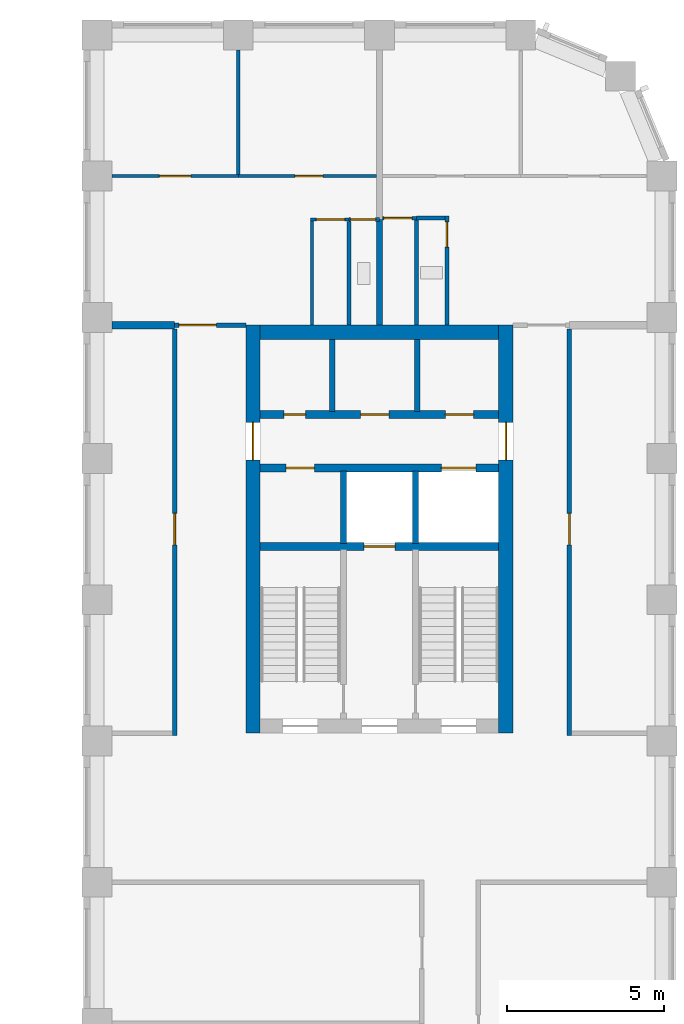
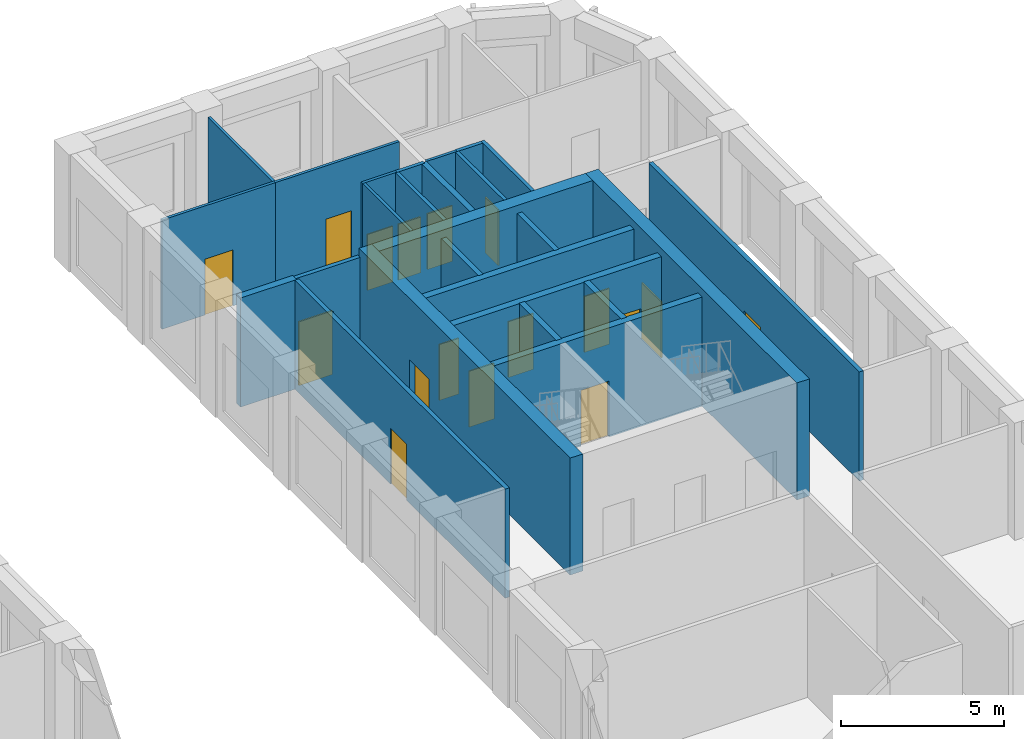
# One storey, part 8 of 12: 26 walls, 17 doors, 17 openings.
"""IFC4 building model written with IfcOpenShell, lengths in metres."""

import ifcopenshell
import ifcopenshell.guid

model = None  # the IFC model being written
_history = None  # IfcOwnerHistory: only IFC2X3 demands one
_inside = {}  # id of a spatial element -> (the spatial element, [elements in it])
_under = {}  # id of a project, library or spatial element -> (it, [spatial elements below it])
_declared = {}  # id of a project -> (the project, [libraries it declares])
_typed = {}  # id of a type object -> (the type object, [elements of that type])
_made_of = {}  # id of a material, layer set ... -> (it, [elements and type objects made of it])


def new_model(schema):
    """Start an empty IFC model of exactly this schema.

    Asked for "IFC4X3", IfcOpenShell would pick the latest addendum, in which some entities
    have other attributes; the version numbers below select the first issue.
    IFC2X3 requires an IfcOwnerHistory on every rooted entity: one is made here for all.
    """
    global model, _history
    if schema == "IFC4X3":
        model = ifcopenshell.file(schema_version=(4, 3, 0, 0))
    else:
        model = ifcopenshell.file(schema=schema)
    _inside.clear()
    _under.clear()
    _declared.clear()
    _typed.clear()
    _made_of.clear()
    _history = None
    if model.schema == "IFC2X3":
        org = make("IfcOrganization", Name="unknown")
        user = make(
            "IfcPersonAndOrganization",
            ThePerson=make("IfcPerson", FamilyName="unknown"),
            TheOrganization=org,
        )
        app = make(
            "IfcApplication",
            ApplicationDeveloper=org,
            Version="unknown",
            ApplicationFullName="unknown",
            ApplicationIdentifier="unknown",
        )
        _history = make(
            "IfcOwnerHistory",
            OwningUser=user,
            OwningApplication=app,
            ChangeAction="ADDED",
            CreationDate=0,
        )
    return model


def make(cls, **values):
    """One entity of the class cls with the attributes given. An attribute that is None is left unset."""
    return model.create_entity(
        cls, **{name: value for name, value in values.items() if value is not None}
    )


def rooted(cls, **values):
    """An entity with a GlobalId (a new one), such as an element, a storey or a relation."""
    return make(cls, GlobalId=ifcopenshell.guid.new(), OwnerHistory=_history, **values)


def si_unit(unit_type, name, prefix=None):
    """IfcSIUnit, for example si_unit("LENGTHUNIT", "METRE", prefix="MILLI")."""
    return make("IfcSIUnit", UnitType=unit_type, Prefix=prefix, Name=name)


def assignment(units):
    """IfcUnitAssignment: the units of a project."""
    return None if units is None else make("IfcUnitAssignment", Units=units)


def point(xyz):
    """IfcCartesianPoint."""
    return None if xyz is None else make("IfcCartesianPoint", Coordinates=xyz)


def direction(xyz):
    """IfcDirection."""
    return None if xyz is None else make("IfcDirection", DirectionRatios=xyz)


def frame(location, z_axis=None, x_axis=None):
    """IfcAxis2Placement3D, a coordinate frame: its origin and axes. An axis left out is left unset."""
    return make(
        "IfcAxis2Placement3D",
        Location=point(location),
        Axis=direction(z_axis),
        RefDirection=direction(x_axis),
    )


def frame_2d(location, x_axis=None):
    """IfcAxis2Placement2D, a coordinate frame in the plane: its origin and x axis."""
    return make(
        "IfcAxis2Placement2D", Location=point(location), RefDirection=direction(x_axis)
    )


def origin():
    """The frame at (0, 0, 0) with its axes left unset."""
    return frame((0.0, 0.0, 0.0))


def place(relative_to, where):
    """IfcLocalPlacement: puts the frame where relative to a parent placement (None: the world)."""
    return make(
        "IfcLocalPlacement", PlacementRelTo=relative_to, RelativePlacement=where
    )


def context(
    kind, dimensions, precision=None, world=None, true_north=None, identifier=None
):
    """IfcGeometricRepresentationContext, for example the 3D "Model" context."""
    return make(
        "IfcGeometricRepresentationContext",
        ContextIdentifier=identifier,
        ContextType=kind,
        CoordinateSpaceDimension=dimensions,
        Precision=precision,
        WorldCoordinateSystem=world,
        TrueNorth=true_north,
    )


def subcontext(parent, identifier, kind, view, scale=None):
    """IfcGeometricRepresentationSubContext, for example "Body" below "Model"."""
    return make(
        "IfcGeometricRepresentationSubContext",
        ContextIdentifier=identifier,
        ContextType=kind,
        ParentContext=parent,
        TargetScale=scale,
        TargetView=view,
    )


def project(units=None, contexts=None):
    """IfcProject with its units and contexts."""
    return rooted(
        "IfcProject",
        Name="project",
        RepresentationContexts=contexts,
        UnitsInContext=assignment(units),
    )


def spatial(cls, under=None, at=None, **own):
    """A site, building, storey or space (cls), placed at a placement, below another one or the project."""
    s = rooted(cls, ObjectPlacement=at, **own)
    if under is not None:
        _under.setdefault(under.id(), (under, []))[1].append(s)
    return s


def profile(cls, at=None, kind="AREA", **sizes):
    """A parametric profile (cls). Its sizes go by their IFC names, for example OverallWidth=200.0."""
    return make(cls, ProfileType=kind, Position=at, **sizes)


def rectangle(**sizes):
    """IfcRectangleProfileDef."""
    return profile("IfcRectangleProfileDef", **sizes)


def extrude(swept, where, along, depth):
    """IfcExtrudedAreaSolid: the profile swept, set in the frame where, extruded along a direction by depth."""
    return make(
        "IfcExtrudedAreaSolid",
        SweptArea=swept,
        Position=where,
        ExtrudedDirection=direction(along),
        Depth=depth,
    )


def shape(context_of_items, identifier, shape_type, items):
    """IfcShapeRepresentation: the items that make up one representation, for example the "Body"."""
    return make(
        "IfcShapeRepresentation",
        ContextOfItems=context_of_items,
        RepresentationIdentifier=identifier,
        RepresentationType=shape_type,
        Items=items,
    )


def material(Name=None, Category=None):
    """IfcMaterial."""
    return make("IfcMaterial", Name=Name, Category=Category)


def layer(
    of_material, thickness, ventilated=None, Name=None, Category=None, Priority=None
):
    """IfcMaterialLayer: one layer of a wall or slab, of a material (None: an air gap)."""
    return make(
        "IfcMaterialLayer",
        Material=of_material,
        LayerThickness=thickness,
        IsVentilated=ventilated,
        Name=Name,
        Category=Category,
        Priority=Priority,
    )


def layer_set(layers, Name=None):
    """IfcMaterialLayerSet."""
    return make("IfcMaterialLayerSet", MaterialLayers=layers, LayerSetName=Name)


def made_of(thing, what):
    """Note that an element or type object is made of a material, layer set ...; save() writes the relation."""
    if what is not None:
        _made_of.setdefault(what.id(), (what, []))[1].append(thing)
    return thing


def type_object(cls, material=None, **own):
    """A type object (cls), such as IfcWallType, which elements share."""
    return made_of(rooted(cls, **own), material)


def element(
    cls,
    number,
    at=None,
    inside=None,
    cuts=None,
    type_object=None,
    material=None,
    context=None,
    identifier="Body",
    shape_type=None,
    held_by="IfcProductDefinitionShape",
    body=None,
    shapes=None,
    **own,
):
    """One element of the class cls, such as IfcWall. Its Tag is "e" and its number.

    at: its placement. inside: the storey or other place that contains it. cuts: it is an
    opening in that element (IfcRelVoidsElement). A single representation is given by context,
    identifier, shape_type and body (its items); several are given by shapes. held_by: the class
    of the entity that holds the representations. save() writes the other relations.
    """
    e = rooted(cls, Tag="e%d" % number, ObjectPlacement=at, **own)
    if body is not None:
        shapes = [shape(context, identifier, shape_type, body)]
    if shapes is not None:
        e.Representation = make(held_by, Representations=shapes)
    if inside is not None:
        _inside.setdefault(inside.id(), (inside, []))[1].append(e)
    if cuts is not None:
        rooted(
            "IfcRelVoidsElement", RelatingBuildingElement=cuts, RelatedOpeningElement=e
        )
    if type_object is not None:
        _typed.setdefault(type_object.id(), (type_object, []))[1].append(e)
    return made_of(e, material)


def fill(opening, filler):
    """IfcRelFillsElement: the door or window that sits in an opening."""
    return rooted(
        "IfcRelFillsElement",
        RelatingOpeningElement=opening,
        RelatedBuildingElement=filler,
    )


def aggregate(whole, parts):
    """IfcRelAggregates: a whole, such as a stair, and the parts it consists of."""
    return rooted("IfcRelAggregates", RelatingObject=whole, RelatedObjects=parts)


def save(model, path):
    """Write the relations noted so far, then the file.

    IfcRelAggregates (storeys below a building ...), IfcRelContainedInSpatialStructure (elements
    in a storey), IfcRelDefinesByType, IfcRelAssociatesMaterial and IfcRelDeclares: one each for
    every whole, place, type object, material and project.
    """
    for whole, parts in _under.values():
        aggregate(whole, parts)
    for where, things in _inside.values():
        rooted(
            "IfcRelContainedInSpatialStructure",
            RelatedElements=things,
            RelatingStructure=where,
        )
    for kind, things in _typed.values():
        rooted("IfcRelDefinesByType", RelatedObjects=things, RelatingType=kind)
    for what, things in _made_of.values():
        rooted("IfcRelAssociatesMaterial", RelatedObjects=things, RelatingMaterial=what)
    for by, libraries in _declared.values():
        rooted("IfcRelDeclares", RelatingContext=by, RelatedDefinitions=libraries)
    model.write(path)


model = new_model("IFC4")

# Units and contexts
model_context = context("Model", 3, precision=1e-05, world=origin(), true_north=direction((0.0, 1.0)))
body_context = subcontext(model_context, "Body", "Model", "MODEL_VIEW")
ifc_project = project(units=[si_unit("LENGTHUNIT", "METRE"), si_unit("AREAUNIT", "SQUARE_METRE"), si_unit("VOLUMEUNIT", "CUBIC_METRE"), si_unit("PLANEANGLEUNIT", "RADIAN"), si_unit("MASSUNIT", "GRAM", prefix="KILO")], contexts=[model_context])

# Site, building, storey
site_placement = place(None, origin())
site = spatial("IfcSite", under=ifc_project, at=site_placement, CompositionType="ELEMENT")
building_placement = place(site_placement, origin())
building = spatial("IfcBuilding", under=site, at=building_placement, Name="Girih Gate Residences", CompositionType="ELEMENT")
storey_placement = place(building_placement, frame((0.0, 0.0, 155.0)))
storey = spatial("IfcBuildingStorey", under=building, at=storey_placement, Name="L43", CompositionType="ELEMENT", Elevation=155.0)

# Wall
ifc_material_1 = material(Name="Gypsum board on steel studs", Category="steel")
ifc_layer_1 = layer(ifc_material_1, 0.25)
ifc_layer_set_1 = layer_set([ifc_layer_1], Name="Acoustic separating wall 250 mm")
wall_type_1 = type_object("IfcWallType", Name="Acoustic separating wall 250 mm", PredefinedType="PARTITIONING", material=ifc_layer_set_1)
wall_1_placement = place(storey_placement, frame((31.97509765625, 40.25, 0.0), z_axis=(0.0, 0.0, 1.0), x_axis=(1.0, 0.0, 0.0)))
element("IfcWall", 1, at=wall_1_placement, inside=storey, type_object=wall_type_1, Name="L43 partition", PredefinedType="PARTITIONING", context=body_context, shape_type="SweptSolid", body=[
    extrude(rectangle(XDim=2.0, YDim=0.25, at=frame_2d((1.0, 0.0))), origin(), (0.0, 0.0, 1.0), 4.10009765625),
])

# Wall, opening, door
ifc_layer_2 = layer(ifc_material_1, 0.14990234375)
ifc_layer_set_2 = layer_set([ifc_layer_2], Name="Compartment wall 150 mm")
wall_type_2 = type_object("IfcWallType", Name="Compartment wall 150 mm", PredefinedType="PARTITIONING", material=ifc_layer_set_2)
wall_2_placement = place(storey_placement, frame((33.97509765625, 40.25, 0.0), z_axis=(0.0, 0.0, 1.0), x_axis=(1.0, 0.0, 0.0)))
wall_2 = element("IfcWall", 2, at=wall_2_placement, inside=storey, type_object=wall_type_2, Name="L43 partition", PredefinedType="PARTITIONING", context=body_context, shape_type="SweptSolid", body=[
    extrude(rectangle(XDim=2.27490234375, YDim=0.14990234375, at=frame_2d((1.137451171875, 0.0))), origin(), (0.0, 0.0, 1.0), 4.10009765625),
])
opening_1_placement = place(wall_2_placement, frame((0.1298828125, 0.0, 0.0)))
opening_1 = element("IfcOpeningElement", 3, at=opening_1_placement, cuts=wall_2, Name="Opening A43-032", PredefinedType="OPENING", context=body_context, shape_type="SweptSolid", body=[
    extrude(rectangle(XDim=1.199951171875, YDim=2.39990234375, at=frame_2d((0.60009765625, 1.199951171875))), frame((0.0, 0.0849609375, 0.0), z_axis=(0.0, -1.0, 0.0), x_axis=(1.0, 0.0, 0.0)), (0.0, 0.0, 1.0), 0.169921875),
])
ifc_material_2 = material(Name="Timber, fire-rated core", Category="wood")
door_type_1 = type_object("IfcDoorType", Name="Villa entrance door 1200x2400 FD30S", OperationType="NOTDEFINED", PredefinedType="DOOR", material=ifc_material_2)
door_1_placement = place(opening_1_placement, origin())
door_1 = element("IfcDoor", 4, at=door_1_placement, inside=storey, type_object=door_type_1, Name="Door A43-032", OperationType="SINGLE_SWING_LEFT", OverallHeight=2.39990234375, OverallWidth=1.199951171875, PredefinedType="DOOR", context=body_context, shape_type="SweptSolid", body=[
    extrude(rectangle(XDim=1.199951171875, YDim=2.39990234375, at=frame_2d((0.60009765625, 1.199951171875))), frame((0.0, 0.02490234375, 0.0), z_axis=(0.0, -1.0, 0.0), x_axis=(1.0, 0.0, 0.0)), (0.0, 0.0, 1.0), 0.050048828125),
])
fill(opening_1, door_1)

wall_3_placement = place(storey_placement, frame((33.97509765625, 27.175048828125, 0.0), z_axis=(0.0, 0.0, 1.0), x_axis=(0.0, 1.0, 0.0)))
wall_3 = element("IfcWall", 5, at=wall_3_placement, inside=storey, type_object=wall_type_2, Name="L43 partition", PredefinedType="PARTITIONING", context=body_context, shape_type="SweptSolid", body=[
    extrude(rectangle(XDim=12.949951171875, YDim=0.14990234375, at=frame_2d((6.47509765625, 0.0))), origin(), (0.0, 0.0, 1.0), 4.10009765625),
])
opening_2_placement = place(wall_3_placement, frame((6.074951171875, 0.0, 0.0)))
opening_2 = element("IfcOpeningElement", 6, at=opening_2_placement, cuts=wall_3, Name="Opening A43-040", PredefinedType="OPENING", context=body_context, shape_type="SweptSolid", body=[
    extrude(rectangle(XDim=1.0, YDim=2.10009765625, at=frame_2d((0.5, 1.050048828125))), frame((0.0, 0.0849609375, 0.0), z_axis=(0.0, -1.0, 0.0), x_axis=(1.0, 0.0, 0.0)), (0.0, 0.0, 1.0), 0.169921875),
])
door_type_2 = type_object("IfcDoorType", Name="Amenity room door 1000x2100 FD30S", OperationType="NOTDEFINED", PredefinedType="DOOR", material=ifc_material_2)
door_2_placement = place(opening_2_placement, origin())
door_2 = element("IfcDoor", 7, at=door_2_placement, inside=storey, type_object=door_type_2, Name="Door A43-040", OperationType="SINGLE_SWING_RIGHT", OverallHeight=2.10009765625, OverallWidth=1.0, PredefinedType="DOOR", context=body_context, shape_type="SweptSolid", body=[
    extrude(rectangle(XDim=1.0, YDim=2.10009765625, at=frame_2d((0.5, 1.050048828125))), frame((0.0, 0.02490234375, 0.0), z_axis=(0.0, -1.0, 0.0), x_axis=(1.0, 0.0, 0.0)), (0.0, 0.0, 1.0), 0.050048828125),
])
fill(opening_2, door_2)

wall_4_placement = place(storey_placement, frame((46.550048828125, 40.125, 0.0), z_axis=(0.0, 0.0, 1.0), x_axis=(0.0, -1.0, 0.0)))
wall_4 = element("IfcWall", 8, at=wall_4_placement, inside=storey, type_object=wall_type_2, Name="L43 partition", PredefinedType="PARTITIONING", context=body_context, shape_type="SweptSolid", body=[
    extrude(rectangle(XDim=12.949951171875, YDim=0.14990234375, at=frame_2d((6.47509765625, 0.0))), origin(), (0.0, 0.0, 1.0), 4.10009765625),
])
opening_3_placement = place(wall_4_placement, frame((5.875, 0.0, 0.0)))
opening_3 = element("IfcOpeningElement", 9, at=opening_3_placement, cuts=wall_4, Name="Opening A43-041", PredefinedType="OPENING", context=body_context, shape_type="SweptSolid", body=[
    extrude(rectangle(XDim=1.0, YDim=2.10009765625, at=frame_2d((0.5, 1.050048828125))), frame((0.0, 0.0849609375, 0.0), z_axis=(0.0, -1.0, 0.0), x_axis=(1.0, 0.0, 0.0)), (0.0, 0.0, 1.0), 0.169921875),
])
door_3_placement = place(opening_3_placement, origin())
door_3 = element("IfcDoor", 10, at=door_3_placement, inside=storey, type_object=door_type_2, Name="Door A43-041", OperationType="SINGLE_SWING_LEFT", OverallHeight=2.10009765625, OverallWidth=1.0, PredefinedType="DOOR", context=body_context, shape_type="SweptSolid", body=[
    extrude(rectangle(XDim=1.0, YDim=2.10009765625, at=frame_2d((0.5, 1.050048828125))), frame((0.0, 0.02490234375, 0.0), z_axis=(0.0, -1.0, 0.0), x_axis=(1.0, 0.0, 0.0)), (0.0, 0.0, 1.0), 0.050048828125),
])
fill(opening_3, door_3)

# Wall
ifc_material_3 = material(Name="Concrete C60/75", Category="concrete")
ifc_layer_3 = layer(ifc_material_3, 0.449951171875)
ifc_layer_set_3 = layer_set([ifc_layer_3], Name="Core wall RC 450 Concrete C60/75")
wall_type_3 = type_object("IfcWallType", Name="Core wall RC 450 Concrete C60/75", PredefinedType="SOLIDWALL", material=ifc_layer_set_3)
wall_5_placement = place(storey_placement, frame((36.699951171875, 40.02490234375, 0.0), z_axis=(0.0, 0.0, 1.0), x_axis=(1.0, 0.0, 0.0)))
element("IfcWall", 11, at=wall_5_placement, inside=storey, type_object=wall_type_3, Name="Core wall E-N L43", PredefinedType="SOLIDWALL", context=body_context, shape_type="SweptSolid", body=[
    extrude(rectangle(XDim=7.60009765625, YDim=0.449951171875, at=frame_2d((3.800048828125, 0.0))), origin(), (0.0, 0.0, 1.0), 4.39990234375),
])

# Wall, opening, door
wall_6_placement = place(storey_placement, frame((36.47509765625, 27.25, 0.0), z_axis=(0.0, 0.0, 1.0), x_axis=(0.0, 1.0, 0.0)))
wall_6 = element("IfcWall", 12, at=wall_6_placement, inside=storey, type_object=wall_type_3, Name="Core wall E-W L43", PredefinedType="SOLIDWALL", context=body_context, shape_type="SweptSolid", body=[
    extrude(rectangle(XDim=13.0, YDim=0.449951171875, at=frame_2d((6.5, 0.0))), origin(), (0.0, 0.0, 1.0), 4.39990234375),
])
opening_4_placement = place(wall_6_placement, frame((8.699951171875, 0.0, 0.0)))
opening_4 = element("IfcOpeningElement", 13, at=opening_4_placement, cuts=wall_6, Name="Opening D-L43-E-012", PredefinedType="OPENING", context=body_context, shape_type="SweptSolid", body=[
    extrude(rectangle(XDim=1.199951171875, YDim=2.10009765625, at=frame_2d((0.60009765625, 1.050048828125))), frame((0.0, 0.23486328125, 0.0), z_axis=(0.0, -1.0, 0.0), x_axis=(1.0, 0.0, 0.0)), (0.0, 0.0, 1.0), 0.469970703125),
])
ifc_material_4 = material(Name="Painted steel, fire-resisting", Category="steel")
door_type_3 = type_object("IfcDoorType", Name="Fire door 1200x2100", OperationType="SINGLE_SWING_LEFT", PredefinedType="DOOR", material=ifc_material_4)
door_4_placement = place(opening_4_placement, origin())
door_4 = element("IfcDoor", 14, at=door_4_placement, inside=storey, type_object=door_type_3, Name="L43 E core door ll-w", OperationType="SINGLE_SWING_LEFT", OverallHeight=2.10009765625, OverallWidth=1.199951171875, PredefinedType="DOOR", context=body_context, shape_type="SweptSolid", body=[
    extrude(rectangle(XDim=1.199951171875, YDim=2.10009765625, at=frame_2d((0.60009765625, 1.050048828125))), frame((0.0, 0.02490234375, 0.0), z_axis=(0.0, -1.0, 0.0), x_axis=(1.0, 0.0, 0.0)), (0.0, 0.0, 1.0), 0.050048828125),
])
fill(opening_4, door_4)

wall_7_placement = place(storey_placement, frame((44.52490234375, 27.25, 0.0), z_axis=(0.0, 0.0, 1.0), x_axis=(0.0, 1.0, 0.0)))
wall_7 = element("IfcWall", 15, at=wall_7_placement, inside=storey, type_object=wall_type_3, Name="Core wall E-E L43", PredefinedType="SOLIDWALL", context=body_context, shape_type="SweptSolid", body=[
    extrude(rectangle(XDim=13.0, YDim=0.449951171875, at=frame_2d((6.5, 0.0))), origin(), (0.0, 0.0, 1.0), 4.39990234375),
])
opening_5_placement = place(wall_7_placement, frame((8.699951171875, 0.0, 0.0)))
opening_5 = element("IfcOpeningElement", 16, at=opening_5_placement, cuts=wall_7, Name="Opening D-L43-E-013", PredefinedType="OPENING", context=body_context, shape_type="SweptSolid", body=[
    extrude(rectangle(XDim=1.199951171875, YDim=2.10009765625, at=frame_2d((0.60009765625, 1.050048828125))), frame((0.0, 0.23486328125, 0.0), z_axis=(0.0, -1.0, 0.0), x_axis=(1.0, 0.0, 0.0)), (0.0, 0.0, 1.0), 0.469970703125),
])
door_5_placement = place(opening_5_placement, origin())
door_5 = element("IfcDoor", 17, at=door_5_placement, inside=storey, type_object=door_type_3, Name="L43 E core door ll-e", OperationType="SINGLE_SWING_LEFT", OverallHeight=2.10009765625, OverallWidth=1.199951171875, PredefinedType="DOOR", context=body_context, shape_type="SweptSolid", body=[
    extrude(rectangle(XDim=1.199951171875, YDim=2.10009765625, at=frame_2d((0.60009765625, 1.050048828125))), frame((0.0, 0.02490234375, 0.0), z_axis=(0.0, -1.0, 0.0), x_axis=(1.0, 0.0, 0.0)), (0.0, 0.0, 1.0), 0.050048828125),
])
fill(opening_5, door_5)

ifc_material_5 = material(Name="Concrete C40/50", Category="concrete")
ifc_layer_4 = layer(ifc_material_5, 0.25)
ifc_layer_set_4 = layer_set([ifc_layer_4], Name="Lift shaft wall 250")
wall_type_4 = type_object("IfcWallType", Name="Lift shaft wall 250", PredefinedType="SOLIDWALL", material=ifc_layer_set_4)
wall_8_placement = place(storey_placement, frame((36.699951171875, 33.199951171875, 0.0), z_axis=(0.0, 0.0, 1.0), x_axis=(1.0, 0.0, 0.0)))
wall_8 = element("IfcWall", 18, at=wall_8_placement, inside=storey, type_object=wall_type_4, Name="L43 E core wall H1", PredefinedType="SOLIDWALL", context=body_context, shape_type="SweptSolid", body=[
    extrude(rectangle(XDim=7.60009765625, YDim=0.25, at=frame_2d((3.800048828125, 0.0))), origin(), (0.0, 0.0, 1.0), 4.10009765625),
])
opening_6_placement = place(wall_8_placement, frame((3.300048828125, 0.0, 0.0)))
opening_6 = element("IfcOpeningElement", 19, at=opening_6_placement, cuts=wall_8, Name="Opening D-L43-E-004", PredefinedType="OPENING", context=body_context, shape_type="SweptSolid", body=[
    extrude(rectangle(XDim=1.0, YDim=2.10009765625, at=frame_2d((0.5, 1.050048828125))), frame((0.0, 0.135009765625, 0.0), z_axis=(0.0, -1.0, 0.0), x_axis=(1.0, 0.0, 0.0)), (0.0, 0.0, 1.0), 0.27001953125),
])
ifc_material_6 = material(Name="Stainless steel, fire-resisting", Category="steel")
door_type_4 = type_object("IfcDoorType", Name="Firefighting lift landing door 1000x2100", OperationType="SLIDING_TO_LEFT", PredefinedType="DOOR", material=ifc_material_6)
door_6_placement = place(opening_6_placement, origin())
door_6 = element("IfcDoor", 20, at=door_6_placement, inside=storey, type_object=door_type_4, Name="L43 lift FF-E landing door", OperationType="SLIDING_TO_LEFT", OverallHeight=2.10009765625, OverallWidth=1.0, PredefinedType="DOOR", context=body_context, shape_type="SweptSolid", body=[
    extrude(rectangle(XDim=1.0, YDim=2.10009765625, at=frame_2d((0.5, 1.050048828125))), frame((0.0, 0.02490234375, 0.0), z_axis=(0.0, -1.0, 0.0), x_axis=(1.0, 0.0, 0.0)), (0.0, 0.0, 1.0), 0.050048828125),
])
fill(opening_6, door_6)

# Wall, openings, doors
wall_9_placement = place(storey_placement, frame((36.699951171875, 35.699951171875, 0.0), z_axis=(0.0, 0.0, 1.0), x_axis=(1.0, 0.0, 0.0)))
wall_9 = element("IfcWall", 21, at=wall_9_placement, inside=storey, type_object=wall_type_4, Name="L43 E core wall H2", PredefinedType="SOLIDWALL", context=body_context, shape_type="SweptSolid", body=[
    extrude(rectangle(XDim=7.60009765625, YDim=0.25, at=frame_2d((3.800048828125, 0.0))), origin(), (0.0, 0.0, 1.0), 4.10009765625),
])
opening_7_placement = place(wall_9_placement, frame((5.77490234375, 0.0, 0.0)))
opening_7 = element("IfcOpeningElement", 22, at=opening_7_placement, cuts=wall_9, Name="Opening D-L43-E-003", PredefinedType="OPENING", context=body_context, shape_type="SweptSolid", body=[
    extrude(rectangle(XDim=1.10009765625, YDim=2.39990234375, at=frame_2d((0.550048828125, 1.199951171875))), frame((0.0, 0.135009765625, 0.0), z_axis=(0.0, -1.0, 0.0), x_axis=(1.0, 0.0, 0.0)), (0.0, 0.0, 1.0), 0.27001953125),
])
opening_8_placement = place(wall_9_placement, frame((0.824951171875, 0.0, 0.0)))
opening_8 = element("IfcOpeningElement", 23, at=opening_8_placement, cuts=wall_9, Name="Opening D-L43-E-006", PredefinedType="OPENING", context=body_context, shape_type="SweptSolid", body=[
    extrude(rectangle(XDim=0.89990234375, YDim=2.10009765625, at=frame_2d((0.449951171875, 1.050048828125))), frame((0.0, 0.135009765625, 0.0), z_axis=(0.0, -1.0, 0.0), x_axis=(1.0, 0.0, 0.0)), (0.0, 0.0, 1.0), 0.27001953125),
])
door_type_5 = type_object("IfcDoorType", Name="Fire door 900x2100", OperationType="SINGLE_SWING_LEFT", PredefinedType="DOOR", material=ifc_material_4)
door_7_placement = place(opening_8_placement, origin())
door_7 = element("IfcDoor", 24, at=door_7_placement, inside=storey, type_object=door_type_5, Name="L43 E maintenance store door", OperationType="SINGLE_SWING_LEFT", OverallHeight=2.10009765625, OverallWidth=0.89990234375, PredefinedType="DOOR", context=body_context, shape_type="SweptSolid", body=[
    extrude(rectangle(XDim=0.89990234375, YDim=2.10009765625, at=frame_2d((0.449951171875, 1.050048828125))), frame((0.0, 0.02490234375, 0.0), z_axis=(0.0, -1.0, 0.0), x_axis=(1.0, 0.0, 0.0)), (0.0, 0.0, 1.0), 0.050048828125),
])
fill(opening_8, door_7)
ifc_material_7 = material(Name="Stainless steel", Category="steel")
door_type_6 = type_object("IfcDoorType", Name="Lift landing door 1100x2400", OperationType="SLIDING_TO_LEFT", PredefinedType="DOOR", material=ifc_material_7)
door_8_placement = place(opening_7_placement, origin())
door_8 = element("IfcDoor", 25, at=door_8_placement, inside=storey, type_object=door_type_6, Name="L43 lift HR-E1 landing door", OperationType="SLIDING_TO_LEFT", OverallHeight=2.39990234375, OverallWidth=1.10009765625, PredefinedType="DOOR", context=body_context, shape_type="SweptSolid", body=[
    extrude(rectangle(XDim=1.10009765625, YDim=2.39990234375, at=frame_2d((0.550048828125, 1.199951171875))), frame((0.0, 0.02490234375, 0.0), z_axis=(0.0, -1.0, 0.0), x_axis=(1.0, 0.0, 0.0)), (0.0, 0.0, 1.0), 0.050048828125),
])
fill(opening_7, door_8)

wall_10_placement = place(storey_placement, frame((36.699951171875, 37.39990234375, 0.0), z_axis=(0.0, 0.0, 1.0), x_axis=(1.0, 0.0, 0.0)))
wall_10 = element("IfcWall", 26, at=wall_10_placement, inside=storey, type_object=wall_type_4, Name="L43 E core wall H3", PredefinedType="SOLIDWALL", context=body_context, shape_type="SweptSolid", body=[
    extrude(rectangle(XDim=7.60009765625, YDim=0.25, at=frame_2d((3.800048828125, 0.0))), origin(), (0.0, 0.0, 1.0), 4.10009765625),
])
opening_9_placement = place(wall_10_placement, frame((0.75, 0.0, 0.0)))
opening_9 = element("IfcOpeningElement", 27, at=opening_9_placement, cuts=wall_10, Name="Opening D-L43-E-005", PredefinedType="OPENING", context=body_context, shape_type="SweptSolid", body=[
    extrude(rectangle(XDim=0.699951171875, YDim=2.10009765625, at=frame_2d((0.35009765625, 1.050048828125))), frame((0.0, 0.135009765625, 0.0), z_axis=(0.0, -1.0, 0.0), x_axis=(1.0, 0.0, 0.0)), (0.0, 0.0, 1.0), 0.27001953125),
])
opening_10_placement = place(wall_10_placement, frame((5.89990234375, 0.0, 0.0)))
opening_10 = element("IfcOpeningElement", 28, at=opening_10_placement, cuts=wall_10, Name="Opening D-L43-E-007", PredefinedType="OPENING", context=body_context, shape_type="SweptSolid", body=[
    extrude(rectangle(XDim=0.89990234375, YDim=2.10009765625, at=frame_2d((0.449951171875, 1.050048828125))), frame((0.0, 0.135009765625, 0.0), z_axis=(0.0, -1.0, 0.0), x_axis=(1.0, 0.0, 0.0)), (0.0, 0.0, 1.0), 0.27001953125),
])
opening_11_placement = place(wall_10_placement, frame((3.199951171875, 0.0, 0.0)))
opening_11 = element("IfcOpeningElement", 29, at=opening_11_placement, cuts=wall_10, Name="Opening D-L43-E-008", PredefinedType="OPENING", context=body_context, shape_type="SweptSolid", body=[
    extrude(rectangle(XDim=0.89990234375, YDim=2.10009765625, at=frame_2d((0.449951171875, 1.050048828125))), frame((0.0, 0.135009765625, 0.0), z_axis=(0.0, -1.0, 0.0), x_axis=(1.0, 0.0, 0.0)), (0.0, 0.0, 1.0), 0.27001953125),
])
door_9_placement = place(opening_10_placement, origin())
door_9 = element("IfcDoor", 30, at=door_9_placement, inside=storey, type_object=door_type_5, Name="L43 E linen store door", OperationType="SINGLE_SWING_LEFT", OverallHeight=2.10009765625, OverallWidth=0.89990234375, PredefinedType="DOOR", context=body_context, shape_type="SweptSolid", body=[
    extrude(rectangle(XDim=0.89990234375, YDim=2.10009765625, at=frame_2d((0.449951171875, 1.050048828125))), frame((0.0, 0.02490234375, 0.0), z_axis=(0.0, -1.0, 0.0), x_axis=(1.0, 0.0, 0.0)), (0.0, 0.0, 1.0), 0.050048828125),
])
fill(opening_10, door_9)
door_10_placement = place(opening_11_placement, origin())
door_10 = element("IfcDoor", 31, at=door_10_placement, inside=storey, type_object=door_type_5, Name="L43 E housekeeping store door", OperationType="SINGLE_SWING_LEFT", OverallHeight=2.10009765625, OverallWidth=0.89990234375, PredefinedType="DOOR", context=body_context, shape_type="SweptSolid", body=[
    extrude(rectangle(XDim=0.89990234375, YDim=2.10009765625, at=frame_2d((0.449951171875, 1.050048828125))), frame((0.0, 0.02490234375, 0.0), z_axis=(0.0, -1.0, 0.0), x_axis=(1.0, 0.0, 0.0)), (0.0, 0.0, 1.0), 0.050048828125),
])
fill(opening_11, door_10)
door_type_7 = type_object("IfcDoorType", Name="Riser access door 700x2100", OperationType="SINGLE_SWING_LEFT", PredefinedType="DOOR", material=ifc_material_4)
door_11_placement = place(opening_9_placement, origin())
door_11 = element("IfcDoor", 32, at=door_11_placement, inside=storey, type_object=door_type_7, Name="L43 E riser room door", OperationType="SINGLE_SWING_LEFT", OverallHeight=2.10009765625, OverallWidth=0.699951171875, PredefinedType="DOOR", context=body_context, shape_type="SweptSolid", body=[
    extrude(rectangle(XDim=0.699951171875, YDim=2.10009765625, at=frame_2d((0.35009765625, 1.050048828125))), frame((0.0, 0.02490234375, 0.0), z_axis=(0.0, -1.0, 0.0), x_axis=(1.0, 0.0, 0.0)), (0.0, 0.0, 1.0), 0.050048828125),
])
fill(opening_9, door_11)

# Wall, opening, door
ifc_layer_5 = layer(ifc_material_1, 0.10009765625)
ifc_layer_set_5 = layer_set([ifc_layer_5], Name="Partition 100 mm")
wall_type_5 = type_object("IfcWallType", Name="Partition 100 mm", PredefinedType="PARTITIONING", material=ifc_layer_set_5)
wall_11_placement = place(storey_placement, frame((41.672607421875, 43.659912109375, 0.0), z_axis=(0.0, 0.0, 1.0), x_axis=(-1.0, 0.0, 0.0)))
wall_11 = element("IfcWall", 33, at=wall_11_placement, inside=storey, type_object=wall_type_5, Name="L43 partition", PredefinedType="PARTITIONING", context=body_context, shape_type="SweptSolid", body=[
    extrude(rectangle(XDim=1.072509765625, YDim=0.10009765625, at=frame_2d((0.5361328125, 0.0))), origin(), (0.0, 0.0, 1.0), 4.10009765625),
])
opening_12_placement = place(wall_11_placement, frame((0.136474609375, 0.0, 0.0)))
opening_12 = element("IfcOpeningElement", 34, at=opening_12_placement, cuts=wall_11, Name="Opening A43-025", PredefinedType="OPENING", context=body_context, shape_type="SweptSolid", body=[
    extrude(rectangle(XDim=0.89990234375, YDim=2.10009765625, at=frame_2d((0.449951171875, 1.050048828125))), frame((0.0, 0.06005859375, 0.0), z_axis=(0.0, -1.0, 0.0), x_axis=(1.0, 0.0, 0.0)), (0.0, 0.0, 1.0), 0.1201171875),
])
ifc_material_8 = material(Name="Timber", Category="wood")
door_type_8 = type_object("IfcDoorType", Name="Kitchen door 900x2100", OperationType="NOTDEFINED", PredefinedType="DOOR", material=ifc_material_8)
door_12_placement = place(opening_12_placement, origin())
door_12 = element("IfcDoor", 35, at=door_12_placement, inside=storey, type_object=door_type_8, Name="Door A43-025", OperationType="SINGLE_SWING_RIGHT", OverallHeight=2.10009765625, OverallWidth=0.89990234375, PredefinedType="DOOR", context=body_context, shape_type="SweptSolid", body=[
    extrude(rectangle(XDim=0.89990234375, YDim=2.10009765625, at=frame_2d((0.449951171875, 1.050048828125))), frame((0.0, 0.02490234375, 0.0), z_axis=(0.0, -1.0, 0.0), x_axis=(1.0, 0.0, 0.0)), (0.0, 0.0, 1.0), 0.050048828125),
])
fill(opening_12, door_12)

wall_12_placement = place(storey_placement, frame((36.0, 45.0, 0.0), z_axis=(0.0, 0.0, 1.0), x_axis=(1.0, 0.0, 0.0)))
wall_12 = element("IfcWall", 36, at=wall_12_placement, inside=storey, type_object=wall_type_5, Name="L43 partition", PredefinedType="PARTITIONING", context=body_context, shape_type="SweptSolid", body=[
    extrude(rectangle(XDim=4.39990234375, YDim=0.10009765625, at=frame_2d((2.199951171875, 0.0))), origin(), (0.0, 0.0, 1.0), 4.10009765625),
])
opening_13_placement = place(wall_12_placement, frame((1.800048828125, 0.0, 0.0)))
opening_13 = element("IfcOpeningElement", 37, at=opening_13_placement, cuts=wall_12, Name="Opening A43-029", PredefinedType="OPENING", context=body_context, shape_type="SweptSolid", body=[
    extrude(rectangle(XDim=0.89990234375, YDim=2.10009765625, at=frame_2d((0.449951171875, 1.050048828125))), frame((0.0, 0.06005859375, 0.0), z_axis=(0.0, -1.0, 0.0), x_axis=(1.0, 0.0, 0.0)), (0.0, 0.0, 1.0), 0.1201171875),
])
door_type_9 = type_object("IfcDoorType", Name="Bedroom door 900x2100", OperationType="NOTDEFINED", PredefinedType="DOOR", material=ifc_material_8)
door_13_placement = place(opening_13_placement, origin())
door_13 = element("IfcDoor", 38, at=door_13_placement, inside=storey, type_object=door_type_9, Name="Door A43-029", OperationType="SINGLE_SWING_RIGHT", OverallHeight=2.10009765625, OverallWidth=0.89990234375, PredefinedType="DOOR", context=body_context, shape_type="SweptSolid", body=[
    extrude(rectangle(XDim=0.89990234375, YDim=2.10009765625, at=frame_2d((0.449951171875, 1.050048828125))), frame((0.0, 0.02490234375, 0.0), z_axis=(0.0, -1.0, 0.0), x_axis=(1.0, 0.0, 0.0)), (0.0, 0.0, 1.0), 0.050048828125),
])
fill(opening_13, door_13)

# Wall
wall_13_placement = place(storey_placement, frame((36.0, 45.050048828125, 0.0), z_axis=(0.0, 0.0, 1.0), x_axis=(0.0, 1.0, 0.0)))
element("IfcWall", 39, at=wall_13_placement, inside=storey, type_object=wall_type_5, Name="L43 partition", PredefinedType="PARTITIONING", context=body_context, shape_type="SweptSolid", body=[
    extrude(rectangle(XDim=3.974853515625, YDim=0.10009765625, at=frame_2d((1.9873046875, 0.0))), origin(), (0.0, 0.0, 1.0), 4.10009765625),
])

# Wall, opening, door
wall_14_placement = place(storey_placement, frame((39.522705078125, 43.6201171875, 0.0), z_axis=(0.0, 0.0, 1.0), x_axis=(-1.0, 0.0, 0.0)))
wall_14 = element("IfcWall", 40, at=wall_14_placement, inside=storey, type_object=wall_type_5, Name="L43 partition", PredefinedType="PARTITIONING", context=body_context, shape_type="SweptSolid", body=[
    extrude(rectangle(XDim=1.22265625, YDim=0.10009765625, at=frame_2d((0.611328125, 0.0))), origin(), (0.0, 0.0, 1.0), 4.10009765625),
])
opening_14_placement = place(wall_14_placement, frame((0.136474609375, 0.0, 0.0)))
opening_14 = element("IfcOpeningElement", 41, at=opening_14_placement, cuts=wall_14, Name="Opening A43-030", PredefinedType="OPENING", context=body_context, shape_type="SweptSolid", body=[
    extrude(rectangle(XDim=0.89990234375, YDim=2.10009765625, at=frame_2d((0.449951171875, 1.050048828125))), frame((0.0, 0.06005859375, 0.0), z_axis=(0.0, -1.0, 0.0), x_axis=(1.0, 0.0, 0.0)), (0.0, 0.0, 1.0), 0.1201171875),
])
door_14_placement = place(opening_14_placement, origin())
door_14 = element("IfcDoor", 42, at=door_14_placement, inside=storey, type_object=door_type_8, Name="Door A43-030", OperationType="SINGLE_SWING_LEFT", OverallHeight=2.10009765625, OverallWidth=0.89990234375, PredefinedType="DOOR", context=body_context, shape_type="SweptSolid", body=[
    extrude(rectangle(XDim=0.89990234375, YDim=2.10009765625, at=frame_2d((0.449951171875, 1.050048828125))), frame((0.0, 0.02490234375, 0.0), z_axis=(0.0, -1.0, 0.0), x_axis=(1.0, 0.0, 0.0)), (0.0, 0.0, 1.0), 0.050048828125),
])
fill(opening_14, door_14)

# Wall
wall_15_placement = place(storey_placement, frame((38.35009765625, 40.25, 0.0), z_axis=(0.0, 0.0, 1.0), x_axis=(0.0, 1.0, 0.0)))
element("IfcWall", 43, at=wall_15_placement, inside=storey, type_object=wall_type_5, Name="L43 partition", PredefinedType="PARTITIONING", context=body_context, shape_type="SweptSolid", body=[
    extrude(rectangle(XDim=3.320068359375, YDim=0.10009765625, at=frame_2d((1.66015625, 0.0))), origin(), (0.0, 0.0, 1.0), 4.10009765625),
])

# Wall, opening, door
wall_16_placement = place(storey_placement, frame((31.97509765625, 45.0, 0.0), z_axis=(0.0, 0.0, 1.0), x_axis=(1.0, 0.0, 0.0)))
wall_16 = element("IfcWall", 44, at=wall_16_placement, inside=storey, type_object=wall_type_5, Name="L43 partition", PredefinedType="PARTITIONING", context=body_context, shape_type="SweptSolid", body=[
    extrude(rectangle(XDim=4.02490234375, YDim=0.10009765625, at=frame_2d((2.012451171875, 0.0))), origin(), (0.0, 0.0, 1.0), 4.10009765625),
])
opening_15_placement = place(wall_16_placement, frame((1.512451171875, 0.0, 0.0)))
opening_15 = element("IfcOpeningElement", 45, at=opening_15_placement, cuts=wall_16, Name="Opening A43-031", PredefinedType="OPENING", context=body_context, shape_type="SweptSolid", body=[
    extrude(rectangle(XDim=1.0, YDim=2.10009765625, at=frame_2d((0.5, 1.050048828125))), frame((0.0, 0.06005859375, 0.0), z_axis=(0.0, -1.0, 0.0), x_axis=(1.0, 0.0, 0.0)), (0.0, 0.0, 1.0), 0.1201171875),
])
door_type_10 = type_object("IfcDoorType", Name="Living room door 1000x2100", OperationType="NOTDEFINED", PredefinedType="DOOR", material=ifc_material_8)
door_15_placement = place(opening_15_placement, origin())
door_15 = element("IfcDoor", 46, at=door_15_placement, inside=storey, type_object=door_type_10, Name="Door A43-031", OperationType="SINGLE_SWING_LEFT", OverallHeight=2.10009765625, OverallWidth=1.0, PredefinedType="DOOR", context=body_context, shape_type="SweptSolid", body=[
    extrude(rectangle(XDim=1.0, YDim=2.10009765625, at=frame_2d((0.5, 1.050048828125))), frame((0.0, 0.02490234375, 0.0), z_axis=(0.0, -1.0, 0.0), x_axis=(1.0, 0.0, 0.0)), (0.0, 0.0, 1.0), 0.050048828125),
])
fill(opening_15, door_15)

# Walls
ifc_layer_6 = layer(ifc_material_1, 0.199951171875)
ifc_layer_set_6 = layer_set([ifc_layer_6], Name="Party wall 200 mm")
wall_type_6 = type_object("IfcWallType", Name="Party wall 200 mm", PredefinedType="PARTITIONING", material=ifc_layer_set_6)
wall_17_placement = place(storey_placement, frame((40.5, 40.25, 0.0), z_axis=(0.0, 0.0, 1.0), x_axis=(0.0, 1.0, 0.0)))
element("IfcWall", 47, at=wall_17_placement, inside=storey, type_object=wall_type_6, Name="L43 partition", PredefinedType="PARTITIONING", context=body_context, shape_type="SweptSolid", body=[
    extrude(rectangle(XDim=3.3701171875, YDim=0.199951171875, at=frame_2d((1.68505859375, 0.0))), origin(), (0.0, 0.0, 1.0), 4.10009765625),
])
ifc_layer_7 = layer(ifc_material_5, 0.175048828125)
ifc_layer_set_7 = layer_set([ifc_layer_7], Name="Riser shaft wall 175")
wall_type_7 = type_object("IfcWallType", Name="Riser shaft wall 175", PredefinedType="SOLIDWALL", material=ifc_layer_set_7)
for number, where, z_axis, x_axis, name in (
    (48, (41.699951171875, 37.5, 0.0), (0.0, 0.0, 1.0), (0.0, 1.0, 0.0), "L43 E core wall V1c"),
    (49, (39.0, 37.5, 0.0), (0.0, 0.0, 1.0), (0.0, 1.0, 0.0), "L43 E core wall V2c"),
):
    element("IfcWall", number, at=place(storey_placement, frame(where, z_axis=z_axis, x_axis=x_axis)), inside=storey, type_object=wall_type_7, Name=name, PredefinedType="SOLIDWALL", context=body_context, shape_type="SweptSolid", body=[
        extrude(rectangle(XDim=2.300048828125, YDim=0.175048828125, at=frame_2d((1.14990234375, 0.0))), origin(), (0.0, 0.0, 1.0), 4.10009765625),
    ])
ifc_layer_8 = layer(ifc_material_5, 0.199951171875)
ifc_layer_set_8 = layer_set([ifc_layer_8], Name="Shaft wall 200")
wall_type_8 = type_object("IfcWallType", Name="Shaft wall 200", PredefinedType="SOLIDWALL", material=ifc_layer_set_8)
for number, where, z_axis, x_axis, name in (
    (50, (41.64990234375, 33.300048828125, 0.0), (0.0, 0.0, 1.0), (0.0, 1.0, 0.0), "L43 E core wall V1b"),
    (51, (39.35009765625, 33.300048828125, 0.0), (0.0, 0.0, 1.0), (0.0, 1.0, 0.0), "L43 E core wall V2b"),
):
    element("IfcWall", number, at=place(storey_placement, frame(where, z_axis=z_axis, x_axis=x_axis)), inside=storey, type_object=wall_type_8, Name=name, PredefinedType="SOLIDWALL", context=body_context, shape_type="SweptSolid", body=[
        extrude(rectangle(XDim=2.300048828125, YDim=0.199951171875, at=frame_2d((1.14990234375, 0.0))), origin(), (0.0, 0.0, 1.0), 4.10009765625),
    ])
ifc_layer_9 = layer(ifc_material_1, 0.125)
ifc_layer_set_9 = layer_set([ifc_layer_9], Name="Wet room wall 125 mm")
wall_type_9 = type_object("IfcWallType", Name="Wet room wall 125 mm", PredefinedType="PARTITIONING", material=ifc_layer_set_9)
wall_18_placement = place(storey_placement, frame((41.672607421875, 43.659912109375, 0.0), z_axis=(0.0, 0.0, 1.0), x_axis=(1.0, 0.0, 0.0)))
element("IfcWall", 52, at=wall_18_placement, inside=storey, type_object=wall_type_9, Name="L43 partition", PredefinedType="PARTITIONING", context=body_context, shape_type="SweptSolid", body=[
    extrude(rectangle(XDim=0.914794921875, YDim=0.125, at=frame_2d((0.45751953125, 0.0))), origin(), (0.0, 0.0, 1.0), 4.10009765625),
])

# Wall, opening, door
wall_19_placement = place(storey_placement, frame((42.64990234375, 40.25, 0.0), z_axis=(0.0, 0.0, 1.0), x_axis=(0.0, 1.0, 0.0)))
wall_19 = element("IfcWall", 53, at=wall_19_placement, inside=storey, type_object=wall_type_9, Name="L43 partition", PredefinedType="PARTITIONING", context=body_context, shape_type="SweptSolid", body=[
    extrude(rectangle(XDim=3.472412109375, YDim=0.125, at=frame_2d((1.736328125, 0.0))), origin(), (0.0, 0.0, 1.0), 4.10009765625),
])
opening_16_placement = place(wall_19_placement, frame((2.489990234375, 0.0, 0.0)))
opening_16 = element("IfcOpeningElement", 54, at=opening_16_placement, cuts=wall_19, Name="Opening A43-023", PredefinedType="OPENING", context=body_context, shape_type="SweptSolid", body=[
    extrude(rectangle(XDim=0.800048828125, YDim=2.10009765625, at=frame_2d((0.39990234375, 1.050048828125))), frame((0.0, 0.072509765625, 0.0), z_axis=(0.0, -1.0, 0.0), x_axis=(1.0, 0.0, 0.0)), (0.0, 0.0, 1.0), 0.14501953125),
])
door_type_11 = type_object("IfcDoorType", Name="Bathroom door 800x2100", OperationType="NOTDEFINED", PredefinedType="DOOR", material=ifc_material_8)
door_16_placement = place(opening_16_placement, origin())
door_16 = element("IfcDoor", 55, at=door_16_placement, inside=storey, type_object=door_type_11, Name="Door A43-023", OperationType="SINGLE_SWING_RIGHT", OverallHeight=2.10009765625, OverallWidth=0.800048828125, PredefinedType="DOOR", context=body_context, shape_type="SweptSolid", body=[
    extrude(rectangle(XDim=0.800048828125, YDim=2.10009765625, at=frame_2d((0.39990234375, 1.050048828125))), frame((0.0, 0.02490234375, 0.0), z_axis=(0.0, -1.0, 0.0), x_axis=(1.0, 0.0, 0.0)), (0.0, 0.0, 1.0), 0.050048828125),
])
fill(opening_16, door_16)

# Wall
wall_20_placement = place(storey_placement, frame((41.673095703125, 40.25, 0.0), z_axis=(0.0, 0.0, 1.0), x_axis=(0.0, 1.0, 0.0)))
element("IfcWall", 56, at=wall_20_placement, inside=storey, type_object=wall_type_9, Name="L43 partition", PredefinedType="PARTITIONING", context=body_context, shape_type="SweptSolid", body=[
    extrude(rectangle(XDim=3.347412109375, YDim=0.125, at=frame_2d((1.673828125, 0.0))), origin(), (0.0, 0.0, 1.0), 4.10009765625),
])

# Wall, opening, door
wall_21_placement = place(storey_placement, frame((40.5, 43.6201171875, 0.0), z_axis=(0.0, 0.0, 1.0), x_axis=(-1.0, 0.0, 0.0)))
wall_21 = element("IfcWall", 57, at=wall_21_placement, inside=storey, type_object=wall_type_9, Name="L43 partition", PredefinedType="PARTITIONING", context=body_context, shape_type="SweptSolid", body=[
    extrude(rectangle(XDim=0.977294921875, YDim=0.125, at=frame_2d((0.48876953125, 0.0))), origin(), (0.0, 0.0, 1.0), 4.10009765625),
])
opening_17_placement = place(wall_21_placement, frame((0.1201171875, 0.0, 0.0)))
opening_17 = element("IfcOpeningElement", 58, at=opening_17_placement, cuts=wall_21, Name="Opening A43-028", PredefinedType="OPENING", context=body_context, shape_type="SweptSolid", body=[
    extrude(rectangle(XDim=0.800048828125, YDim=2.10009765625, at=frame_2d((0.39990234375, 1.050048828125))), frame((0.0, 0.072509765625, 0.0), z_axis=(0.0, -1.0, 0.0), x_axis=(1.0, 0.0, 0.0)), (0.0, 0.0, 1.0), 0.14501953125),
])
door_17_placement = place(opening_17_placement, origin())
door_17 = element("IfcDoor", 59, at=door_17_placement, inside=storey, type_object=door_type_11, Name="Door A43-028", OperationType="SINGLE_SWING_LEFT", OverallHeight=2.10009765625, OverallWidth=0.800048828125, PredefinedType="DOOR", context=body_context, shape_type="SweptSolid", body=[
    extrude(rectangle(XDim=0.800048828125, YDim=2.10009765625, at=frame_2d((0.39990234375, 1.050048828125))), frame((0.0, 0.02490234375, 0.0), z_axis=(0.0, -1.0, 0.0), x_axis=(1.0, 0.0, 0.0)), (0.0, 0.0, 1.0), 0.050048828125),
])
fill(opening_17, door_17)

# Wall
wall_22_placement = place(storey_placement, frame((39.52294921875, 40.25, 0.0), z_axis=(0.0, 0.0, 1.0), x_axis=(0.0, 1.0, 0.0)))
element("IfcWall", 60, at=wall_22_placement, inside=storey, type_object=wall_type_9, Name="L43 partition", PredefinedType="PARTITIONING", context=body_context, shape_type="SweptSolid", body=[
    extrude(rectangle(XDim=3.3076171875, YDim=0.125, at=frame_2d((1.65380859375, 0.0))), origin(), (0.0, 0.0, 1.0), 4.10009765625),
])

save(model, "model.ifc")
